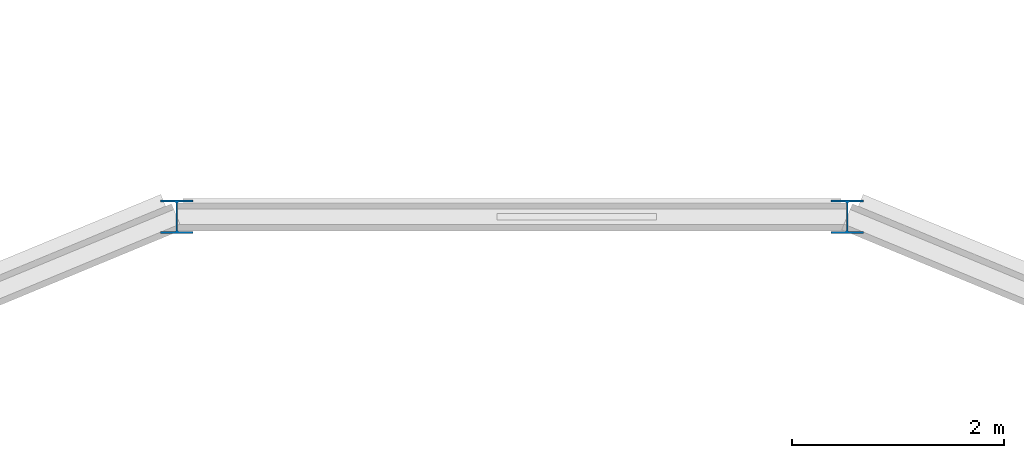
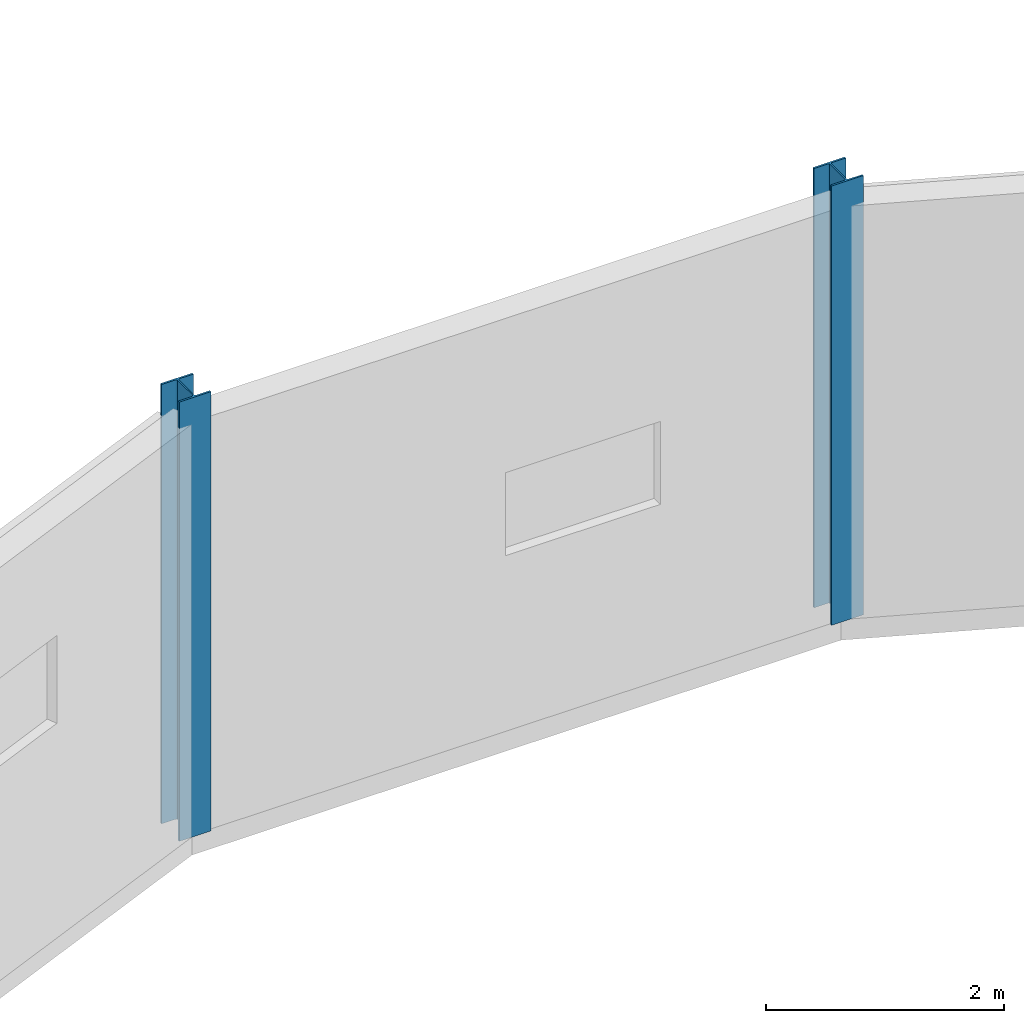
# One storey, part 3 of 89: 2 columns.
"""IFC4 building model written with IfcOpenShell, lengths in metres."""

from ifc_helpers import new_model, si_unit, direction, frame, origin, origin_2d, place, context, subcontext, project, spatial, i_section, extrude, material, material_profile, profile_set, type_object, element, save


model = new_model("IFC4")

# Units and contexts
model_context = context("Model", 3, precision=1e-05, world=origin(), true_north=direction((0.0, 1.0)))
body_context = subcontext(model_context, "Body", "Model", "MODEL_VIEW")
ifc_project = project(units=[si_unit("LENGTHUNIT", "METRE"), si_unit("AREAUNIT", "SQUARE_METRE"), si_unit("VOLUMEUNIT", "CUBIC_METRE"), si_unit("PLANEANGLEUNIT", "RADIAN"), si_unit("MASSUNIT", "GRAM", prefix="KILO"), si_unit("THERMODYNAMICTEMPERATUREUNIT", "KELVIN"), si_unit("POWERUNIT", "WATT")], contexts=[model_context])

# Site, building, storey
site_placement = place(None, origin())
site = spatial("IfcSite", under=ifc_project, at=site_placement, CompositionType="ELEMENT")
building_placement = place(site_placement, origin())
building = spatial("IfcBuilding", under=site, at=building_placement, Name="Tallowbark Science Centre", CompositionType="ELEMENT")
storey_placement = place(building_placement, frame((0.0, 0.0, 14.39990234375)))
storey = spatial("IfcBuildingStorey", under=building, at=storey_placement, Name="L03", CompositionType="ELEMENT", Elevation=14.39990234375)

# Columns
ifc_material = material(Name="Structural Steel Grade 300PLUS (300 MPa)", Category="steel")
ifc_material_profile = material_profile(ifc_material, i_section(OverallWidth=0.307373046875, OverallDepth=0.314697265625, WebThickness=0.011962890625, FlangeThickness=0.018798828125, FilletRadius=0.0166015625, at=origin_2d()), Name="310UC118")
ifc_profile_set = profile_set([ifc_material_profile], Name="Structural Steel Grade 300PLUS (300 MPa)")
column_type = type_object("IfcColumnType", Name="PIL-UC310", PredefinedType="PILASTER", material=ifc_profile_set)
for number, where, z_axis, x_axis, name in (
    (1, (25.660400390625, 33.888671875, 0.0), (0.0, 0.0, 1.0), (1.0, 0.0, 0.0), "Column DRM-P04 L03"),
    (2, (19.339599609375, 33.888671875, 0.0), (0.0, 0.0, 1.0), (1.0, 0.0, 0.0), "Column DRM-P05 L03"),
):
    element("IfcColumn", number, at=place(storey_placement, frame(where, z_axis=z_axis, x_axis=x_axis)), inside=storey, type_object=column_type, Name=name, PredefinedType="PILASTER", context=body_context, shape_type="SweptSolid", body=[
        extrude(i_section(OverallWidth=0.307373046875, OverallDepth=0.314697265625, WebThickness=0.011962890625, FlangeThickness=0.018798828125, FilletRadius=0.0166015625, at=origin_2d()), origin(), (0.0, 0.0, 1.0), 4.5),
    ])

save(model, "model.ifc")
